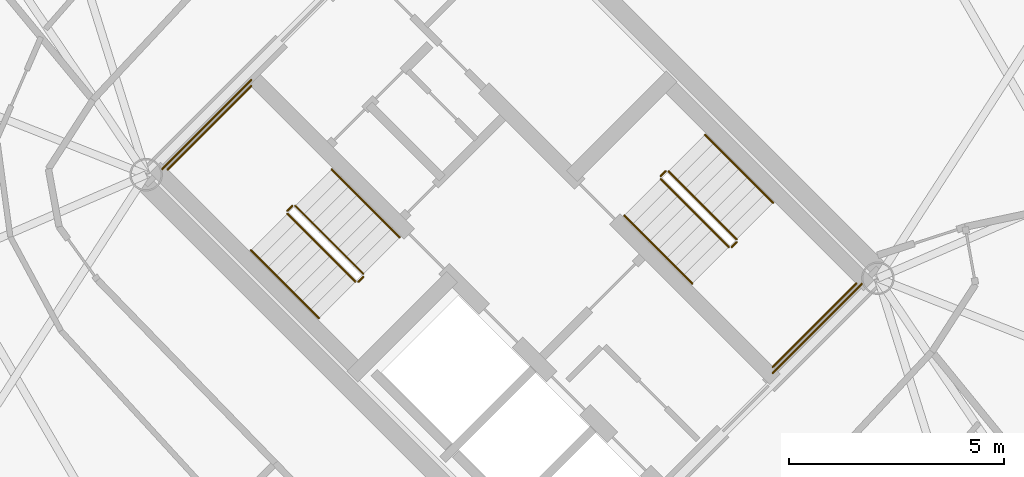
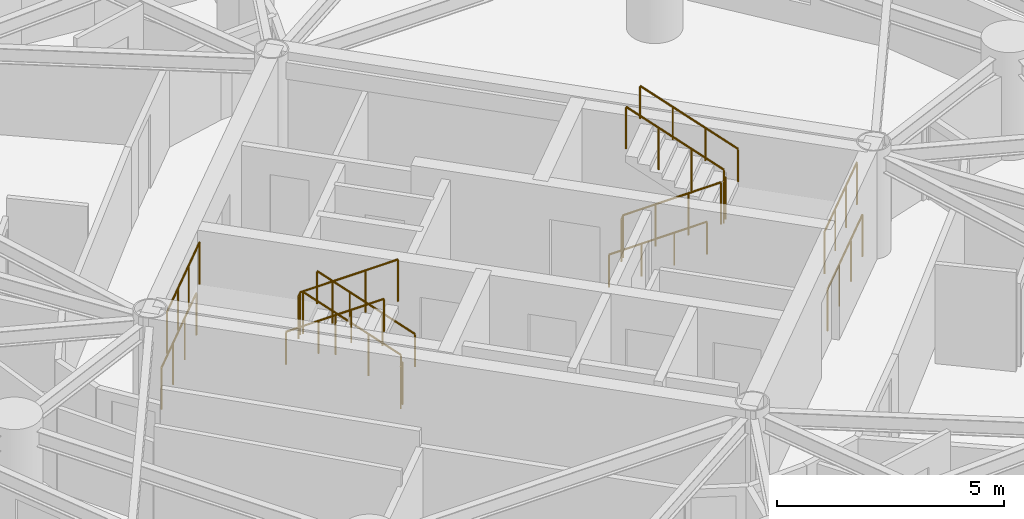
# One storey, part 15 of 16: 16 railings.
"""IFC4 building model written with IfcOpenShell, lengths in metres."""

from ifc_helpers import new_model, si_unit, direction, frame, origin, origin_2d, place, context, subcontext, project, spatial, circle, extrude, material, type_object, element, save


model = new_model("IFC4")

# Units and contexts
model_context = context("Model", 3, precision=1e-05, world=origin(), true_north=direction((0.0, 1.0)))
body_context = subcontext(model_context, "Body", "Model", "MODEL_VIEW")
ifc_project = project(units=[si_unit("LENGTHUNIT", "METRE"), si_unit("AREAUNIT", "SQUARE_METRE"), si_unit("VOLUMEUNIT", "CUBIC_METRE"), si_unit("PLANEANGLEUNIT", "RADIAN"), si_unit("MASSUNIT", "GRAM", prefix="KILO")], contexts=[model_context])

# Site, building, storey
site_placement = place(None, origin())
site = spatial("IfcSite", under=ifc_project, at=site_placement, CompositionType="ELEMENT")
building_placement = place(site_placement, origin())
building = spatial("IfcBuilding", under=site, at=building_placement, Name="Cununo Teusaquillo Station Towers", CompositionType="ELEMENT")
storey_placement = place(building_placement, frame((0.0, 0.0, 180.699951171875)))
storey = spatial("IfcBuildingStorey", under=building, at=storey_placement, Name="L57", CompositionType="ELEMENT", Elevation=180.699951171875)

# Railings
ifc_material_1 = material(Name="Steel EN 10025-2 S355J2", Category="steel")
railing_type_1 = type_object("IfcRailingType", Name="RL-INT-GUARD", PredefinedType="GUARDRAIL", material=ifc_material_1)
railing_1_placement = place(storey_placement, frame((54.03515625, 23.39697265625, 0.16162109375)))
element("IfcRailing", 1, at=railing_1_placement, inside=storey, type_object=railing_type_1, Name="L57 ST-T2-1 stair guard 1", PredefinedType="GUARDRAIL", context=body_context, shape_type="SweptSolid", body=[
    extrude(circle(Radius=0.02392578125, at=origin_2d()), frame((0.0, 0.0, 1.1259765625), z_axis=(-0.612332353853, 0.612332353853, 0.500098167213), x_axis=(-0.707106781187, -0.707106781187, 0.0)), (0.0, 0.0, 1.0), 2.58642578125),
    extrude(circle(Radius=0.02099609375, at=origin_2d()), origin(), (0.0, 0.0, 1.0), 1.101806640625),
    extrude(circle(Radius=0.02099609375, at=origin_2d()), frame((-0.52783203125, 0.52783203125, 0.43115234375)), (0.0, 0.0, 1.0), 1.101806640625),
    extrude(circle(Radius=0.02099609375, at=origin_2d()), frame((-1.055908203125, 1.055908203125, 0.8623046875)), (0.0, 0.0, 1.0), 1.101806640625),
    extrude(circle(Radius=0.02099609375, at=origin_2d()), frame((-1.583740234375, 1.583740234375, 1.29345703125)), (0.0, 0.0, 1.0), 1.101806640625),
])
railing_2_placement = place(storey_placement, frame((52.380615234375, 24.980712890625, 1.455078125)))
element("IfcRailing", 2, at=railing_2_placement, inside=storey, type_object=railing_type_1, Name="L57 ST-T2-1 stair guard 2", PredefinedType="GUARDRAIL", context=body_context, shape_type="SweptSolid", body=[
    extrude(circle(Radius=0.02392578125, at=origin_2d()), frame((0.0, 0.0, 1.1259765625), z_axis=(-0.7078691598, -0.706343579714, 0.0), x_axis=(0.706343579714, -0.7078691598, 0.0)), (0.0, 0.0, 1.0), 0.159912109375),
    extrude(circle(Radius=0.02099609375, at=origin_2d()), origin(), (0.0, 0.0, 1.0), 1.101806640625),
    extrude(circle(Radius=0.02099609375, at=origin_2d()), frame((-0.11328125, -0.113037109375, 0.0)), (0.0, 0.0, 1.0), 1.101806640625),
])
railing_3_placement = place(storey_placement, frame((51.426025390625, 27.77392578125, 1.455078125)))
element("IfcRailing", 3, at=railing_3_placement, inside=storey, type_object=railing_type_1, Name="L57 ST-T2-1 stair guard 3", PredefinedType="GUARDRAIL", context=body_context, shape_type="SweptSolid", body=[
    extrude(circle(Radius=0.02392578125, at=origin_2d()), frame((0.0, 0.0, 1.1259765625), z_axis=(-0.707106781187, -0.707106781187, 0.0), x_axis=(0.707106781187, -0.707106781187, 0.0)), (0.0, 0.0, 1.0), 2.760009765625),
    extrude(circle(Radius=0.02099609375, at=origin_2d()), origin(), (0.0, 0.0, 1.0), 1.101806640625),
    extrude(circle(Radius=0.02099609375, at=origin_2d()), frame((-0.650634765625, -0.650634765625, 0.0)), (0.0, 0.0, 1.0), 1.101806640625),
    extrude(circle(Radius=0.02099609375, at=origin_2d()), frame((-1.301025390625, -1.301025390625, 0.0)), (0.0, 0.0, 1.0), 1.101806640625),
    extrude(circle(Radius=0.02099609375, at=origin_2d()), frame((-1.95166015625, -1.95166015625, 0.0)), (0.0, 0.0, 1.0), 1.101806640625),
])
railing_4_placement = place(storey_placement, frame((52.267333984375, 24.796875, 1.61669921875)))
element("IfcRailing", 4, at=railing_4_placement, inside=storey, type_object=railing_type_1, Name="L57 ST-T2-1 stair guard 4", PredefinedType="GUARDRAIL", context=body_context, shape_type="SweptSolid", body=[
    extrude(circle(Radius=0.02392578125, at=origin_2d()), frame((0.0, 0.0, 1.1259765625), z_axis=(0.612391349474, -0.612296961165, 0.500069261639), x_axis=(0.707052281454, 0.707161276719, 0.0)), (0.0, 0.0, 1.0), 2.586669921875),
    extrude(circle(Radius=0.02099609375, at=origin_2d()), origin(), (0.0, 0.0, 1.0), 1.101806640625),
    extrude(circle(Radius=0.02099609375, at=origin_2d()), frame((0.528076171875, -0.52783203125, 0.43115234375)), (0.0, 0.0, 1.0), 1.101806640625),
    extrude(circle(Radius=0.02099609375, at=origin_2d()), frame((1.055908203125, -1.055908203125, 0.8623046875)), (0.0, 0.0, 1.0), 1.101806640625),
    extrude(circle(Radius=0.02099609375, at=origin_2d()), frame((1.583984375, -1.583740234375, 1.29345703125)), (0.0, 0.0, 1.0), 1.101806640625),
])
railing_5_placement = place(storey_placement, frame((54.03515625, 23.326171875, 0.0)))
element("IfcRailing", 5, at=railing_5_placement, inside=storey, type_object=railing_type_1, Name="L57 ST-T2-1 stair guard 5", PredefinedType="GUARDRAIL", context=body_context, shape_type="SweptSolid", body=[
    extrude(circle(Radius=0.02392578125, at=origin_2d()), frame((0.0, 0.0, 1.1259765625), z_axis=(-0.707106781187, -0.707106781187, 0.0), x_axis=(0.707106781187, -0.707106781187, 0.0)), (0.0, 0.0, 1.0), 0.159912109375),
    extrude(circle(Radius=0.02099609375, at=origin_2d()), origin(), (0.0, 0.0, 1.0), 1.101806640625),
    extrude(circle(Radius=0.02099609375, at=origin_2d()), frame((-0.113037109375, -0.113037109375, 0.0)), (0.0, 0.0, 1.0), 1.101806640625),
])
railing_6_placement = place(storey_placement, frame((51.426025390625, 27.915283203125, 0.0)))
element("IfcRailing", 6, at=railing_6_placement, inside=storey, type_object=railing_type_1, Name="L57 ST-T2-1 stair guard 6", PredefinedType="GUARDRAIL", context=body_context, shape_type="SweptSolid", body=[
    extrude(circle(Radius=0.02392578125, at=origin_2d()), frame((0.0, 0.0, 1.1259765625), z_axis=(-0.707106781187, -0.707106781187, 0.0), x_axis=(0.707106781187, -0.707106781187, 0.0)), (0.0, 0.0, 1.0), 2.9599609375),
    extrude(circle(Radius=0.02099609375, at=origin_2d()), origin(), (0.0, 0.0, 1.0), 1.101806640625),
    extrude(circle(Radius=0.02099609375, at=origin_2d()), frame((-0.69775390625, -0.69775390625, 0.0)), (0.0, 0.0, 1.0), 1.101806640625),
    extrude(circle(Radius=0.02099609375, at=origin_2d()), frame((-1.395263671875, -1.395263671875, 0.0)), (0.0, 0.0, 1.0), 1.101806640625),
    extrude(circle(Radius=0.02099609375, at=origin_2d()), frame((-2.093017578125, -2.093017578125, 0.0)), (0.0, 0.0, 1.0), 1.101806640625),
])
railing_7_placement = place(storey_placement, frame((60.96484375, 25.60302734375, 0.16162109375)))
element("IfcRailing", 7, at=railing_7_placement, inside=storey, type_object=railing_type_1, Name="L57 ST-T2-2 stair guard 1", PredefinedType="GUARDRAIL", context=body_context, shape_type="SweptSolid", body=[
    extrude(circle(Radius=0.02392578125, at=origin_2d()), frame((0.0, 0.0, 1.1259765625), z_axis=(0.612332353853, -0.612332353853, 0.500098167213), x_axis=(0.707106781187, 0.707106781187, 0.0)), (0.0, 0.0, 1.0), 2.58642578125),
    extrude(circle(Radius=0.02099609375, at=origin_2d()), origin(), (0.0, 0.0, 1.0), 1.101806640625),
    extrude(circle(Radius=0.02099609375, at=origin_2d()), frame((0.52783203125, -0.52783203125, 0.43115234375)), (0.0, 0.0, 1.0), 1.101806640625),
    extrude(circle(Radius=0.02099609375, at=origin_2d()), frame((1.055908203125, -1.055908203125, 0.8623046875)), (0.0, 0.0, 1.0), 1.101806640625),
    extrude(circle(Radius=0.02099609375, at=origin_2d()), frame((1.583740234375, -1.583740234375, 1.29345703125)), (0.0, 0.0, 1.0), 1.101806640625),
])
railing_8_placement = place(storey_placement, frame((62.619384765625, 24.019287109375, 1.455078125)))
element("IfcRailing", 8, at=railing_8_placement, inside=storey, type_object=railing_type_1, Name="L57 ST-T2-2 stair guard 2", PredefinedType="GUARDRAIL", context=body_context, shape_type="SweptSolid", body=[
    extrude(circle(Radius=0.02392578125, at=origin_2d()), frame((0.0, 0.0, 1.1259765625), z_axis=(0.7078691598, 0.706343579714, 0.0), x_axis=(-0.706343579714, 0.7078691598, 0.0)), (0.0, 0.0, 1.0), 0.159912109375),
    extrude(circle(Radius=0.02099609375, at=origin_2d()), origin(), (0.0, 0.0, 1.0), 1.101806640625),
    extrude(circle(Radius=0.02099609375, at=origin_2d()), frame((0.11328125, 0.113037109375, 0.0)), (0.0, 0.0, 1.0), 1.101806640625),
])
railing_9_placement = place(storey_placement, frame((63.573974609375, 21.22607421875, 1.455078125)))
element("IfcRailing", 9, at=railing_9_placement, inside=storey, type_object=railing_type_1, Name="L57 ST-T2-2 stair guard 3", PredefinedType="GUARDRAIL", context=body_context, shape_type="SweptSolid", body=[
    extrude(circle(Radius=0.02392578125, at=origin_2d()), frame((0.0, 0.0, 1.1259765625), z_axis=(0.707106781187, 0.707106781187, 0.0), x_axis=(-0.707106781187, 0.707106781187, 0.0)), (0.0, 0.0, 1.0), 2.760009765625),
    extrude(circle(Radius=0.02099609375, at=origin_2d()), origin(), (0.0, 0.0, 1.0), 1.101806640625),
    extrude(circle(Radius=0.02099609375, at=origin_2d()), frame((0.650634765625, 0.650634765625, 0.0)), (0.0, 0.0, 1.0), 1.101806640625),
    extrude(circle(Radius=0.02099609375, at=origin_2d()), frame((1.301025390625, 1.301025390625, 0.0)), (0.0, 0.0, 1.0), 1.101806640625),
    extrude(circle(Radius=0.02099609375, at=origin_2d()), frame((1.95166015625, 1.95166015625, 0.0)), (0.0, 0.0, 1.0), 1.101806640625),
])
railing_10_placement = place(storey_placement, frame((62.732666015625, 24.203125, 1.61669921875)))
element("IfcRailing", 10, at=railing_10_placement, inside=storey, type_object=railing_type_1, Name="L57 ST-T2-2 stair guard 4", PredefinedType="GUARDRAIL", context=body_context, shape_type="SweptSolid", body=[
    extrude(circle(Radius=0.02392578125, at=origin_2d()), frame((0.0, 0.0, 1.1259765625), z_axis=(-0.612391349474, 0.612296961165, 0.500069261639), x_axis=(-0.707052281454, -0.707161276719, 0.0)), (0.0, 0.0, 1.0), 2.586669921875),
    extrude(circle(Radius=0.02099609375, at=origin_2d()), origin(), (0.0, 0.0, 1.0), 1.101806640625),
    extrude(circle(Radius=0.02099609375, at=origin_2d()), frame((-0.528076171875, 0.52783203125, 0.43115234375)), (0.0, 0.0, 1.0), 1.101806640625),
    extrude(circle(Radius=0.02099609375, at=origin_2d()), frame((-1.055908203125, 1.055908203125, 0.8623046875)), (0.0, 0.0, 1.0), 1.101806640625),
    extrude(circle(Radius=0.02099609375, at=origin_2d()), frame((-1.583984375, 1.583740234375, 1.29345703125)), (0.0, 0.0, 1.0), 1.101806640625),
])
railing_11_placement = place(storey_placement, frame((60.96484375, 25.673828125, 0.0)))
element("IfcRailing", 11, at=railing_11_placement, inside=storey, type_object=railing_type_1, Name="L57 ST-T2-2 stair guard 5", PredefinedType="GUARDRAIL", context=body_context, shape_type="SweptSolid", body=[
    extrude(circle(Radius=0.02392578125, at=origin_2d()), frame((0.0, 0.0, 1.1259765625), z_axis=(0.707106781187, 0.707106781187, 0.0), x_axis=(-0.707106781187, 0.707106781187, 0.0)), (0.0, 0.0, 1.0), 0.159912109375),
    extrude(circle(Radius=0.02099609375, at=origin_2d()), origin(), (0.0, 0.0, 1.0), 1.101806640625),
    extrude(circle(Radius=0.02099609375, at=origin_2d()), frame((0.113037109375, 0.113037109375, 0.0)), (0.0, 0.0, 1.0), 1.101806640625),
])
railing_12_placement = place(storey_placement, frame((63.573974609375, 21.084716796875, 0.0)))
element("IfcRailing", 12, at=railing_12_placement, inside=storey, type_object=railing_type_1, Name="L57 ST-T2-2 stair guard 6", PredefinedType="GUARDRAIL", context=body_context, shape_type="SweptSolid", body=[
    extrude(circle(Radius=0.02392578125, at=origin_2d()), frame((0.0, 0.0, 1.1259765625), z_axis=(0.707106781187, 0.707106781187, 0.0), x_axis=(-0.707106781187, 0.707106781187, 0.0)), (0.0, 0.0, 1.0), 2.9599609375),
    extrude(circle(Radius=0.02099609375, at=origin_2d()), origin(), (0.0, 0.0, 1.0), 1.101806640625),
    extrude(circle(Radius=0.02099609375, at=origin_2d()), frame((0.69775390625, 0.69775390625, 0.0)), (0.0, 0.0, 1.0), 1.101806640625),
    extrude(circle(Radius=0.02099609375, at=origin_2d()), frame((1.395263671875, 1.395263671875, 0.0)), (0.0, 0.0, 1.0), 1.101806640625),
    extrude(circle(Radius=0.02099609375, at=origin_2d()), frame((2.093017578125, 2.093017578125, 0.0)), (0.0, 0.0, 1.0), 1.101806640625),
])
ifc_material_2 = material(Name="Steel EN 10025-2 S355J2", Category="steel")
railing_type_2 = type_object("IfcRailingType", Name="RL-INT-HRAIL", PredefinedType="HANDRAIL", material=ifc_material_2)
railing_13_placement = place(storey_placement, frame((54.8837890625, 24.245361328125, 0.16162109375)))
element("IfcRailing", 13, at=railing_13_placement, inside=storey, type_object=railing_type_2, Name="L57 ST-T2-1 stair handrail 1", PredefinedType="HANDRAIL", context=body_context, shape_type="SweptSolid", body=[
    extrude(circle(Radius=0.02392578125, at=origin_2d()), frame((0.0, 0.0, 0.8759765625), z_axis=(-0.612355957468, 0.612355957468, 0.500040361077), x_axis=(-0.707106781187, -0.707106781187, 0.0)), (0.0, 0.0, 1.0), 2.586669921875),
    extrude(circle(Radius=0.02099609375, at=origin_2d()), origin(), (0.0, 0.0, 1.0), 0.851806640625),
    extrude(circle(Radius=0.02099609375, at=origin_2d()), frame((-0.528076171875, 0.528076171875, 0.43115234375)), (0.0, 0.0, 1.0), 0.851806640625),
    extrude(circle(Radius=0.02099609375, at=origin_2d()), frame((-1.055908203125, 1.055908203125, 0.8623046875)), (0.0, 0.0, 1.0), 0.851806640625),
    extrude(circle(Radius=0.02099609375, at=origin_2d()), frame((-1.583984375, 1.583984375, 1.29345703125)), (0.0, 0.0, 1.0), 0.851806640625),
])
for number, where, name in (
    (14, (51.4189453125, 23.948486328125, 1.61669921875), "L57 ST-T2-1 stair handrail 2"),
    (15, (60.1162109375, 24.754638671875, 0.16162109375), "L57 ST-T2-2 stair handrail 1"),
):
    element("IfcRailing", number, at=place(storey_placement, frame(where)), inside=storey, type_object=railing_type_2, Name=name, PredefinedType="HANDRAIL", context=body_context, shape_type="SweptSolid", body=[
        extrude(circle(Radius=0.02392578125, at=origin_2d()), frame((0.0, 0.0, 0.8759765625), z_axis=(0.612355957468, -0.612355957468, 0.500040361077), x_axis=(0.707106781187, 0.707106781187, 0.0)), (0.0, 0.0, 1.0), 2.586669921875),
        extrude(circle(Radius=0.02099609375, at=origin_2d()), origin(), (0.0, 0.0, 1.0), 0.851806640625),
        extrude(circle(Radius=0.02099609375, at=origin_2d()), frame((0.528076171875, -0.528076171875, 0.43115234375)), (0.0, 0.0, 1.0), 0.851806640625),
        extrude(circle(Radius=0.02099609375, at=origin_2d()), frame((1.055908203125, -1.055908203125, 0.8623046875)), (0.0, 0.0, 1.0), 0.851806640625),
        extrude(circle(Radius=0.02099609375, at=origin_2d()), frame((1.583984375, -1.583984375, 1.29345703125)), (0.0, 0.0, 1.0), 0.851806640625),
    ])
railing_14_placement = place(storey_placement, frame((63.5810546875, 25.051513671875, 1.61669921875)))
element("IfcRailing", 16, at=railing_14_placement, inside=storey, type_object=railing_type_2, Name="L57 ST-T2-2 stair handrail 2", PredefinedType="HANDRAIL", context=body_context, shape_type="SweptSolid", body=[
    extrude(circle(Radius=0.02392578125, at=origin_2d()), frame((0.0, 0.0, 0.8759765625), z_axis=(-0.612355957468, 0.612355957468, 0.500040361077), x_axis=(-0.707106781187, -0.707106781187, 0.0)), (0.0, 0.0, 1.0), 2.586669921875),
    extrude(circle(Radius=0.02099609375, at=origin_2d()), origin(), (0.0, 0.0, 1.0), 0.851806640625),
    extrude(circle(Radius=0.02099609375, at=origin_2d()), frame((-0.528076171875, 0.528076171875, 0.43115234375)), (0.0, 0.0, 1.0), 0.851806640625),
    extrude(circle(Radius=0.02099609375, at=origin_2d()), frame((-1.055908203125, 1.055908203125, 0.8623046875)), (0.0, 0.0, 1.0), 0.851806640625),
    extrude(circle(Radius=0.02099609375, at=origin_2d()), frame((-1.583984375, 1.583984375, 1.29345703125)), (0.0, 0.0, 1.0), 0.851806640625),
])

save(model, "model.ifc")
